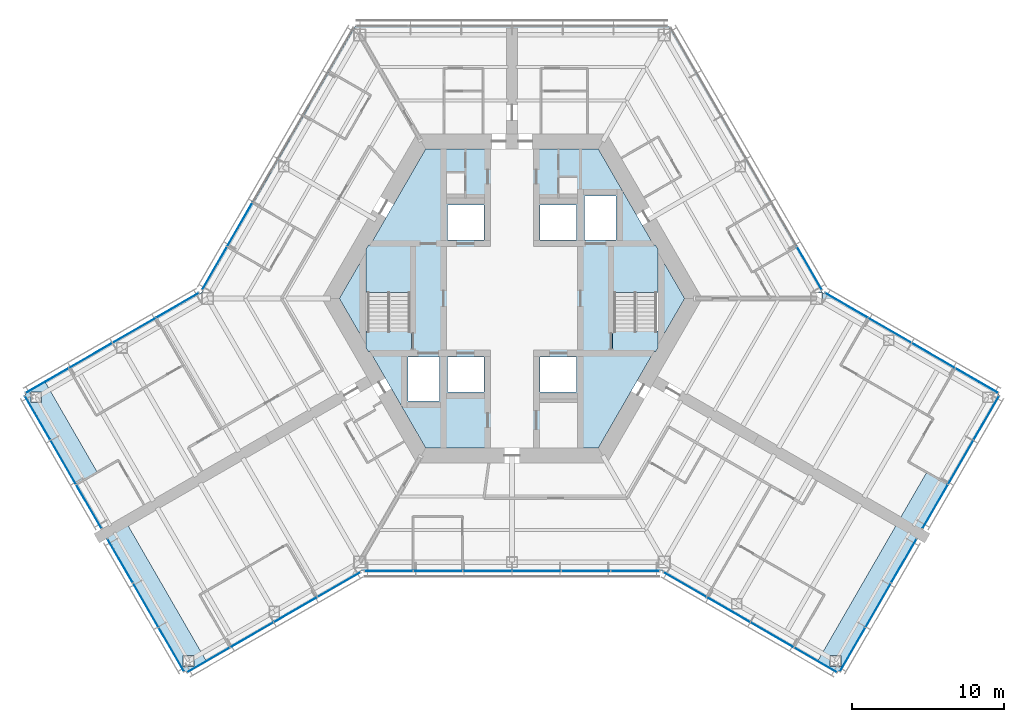
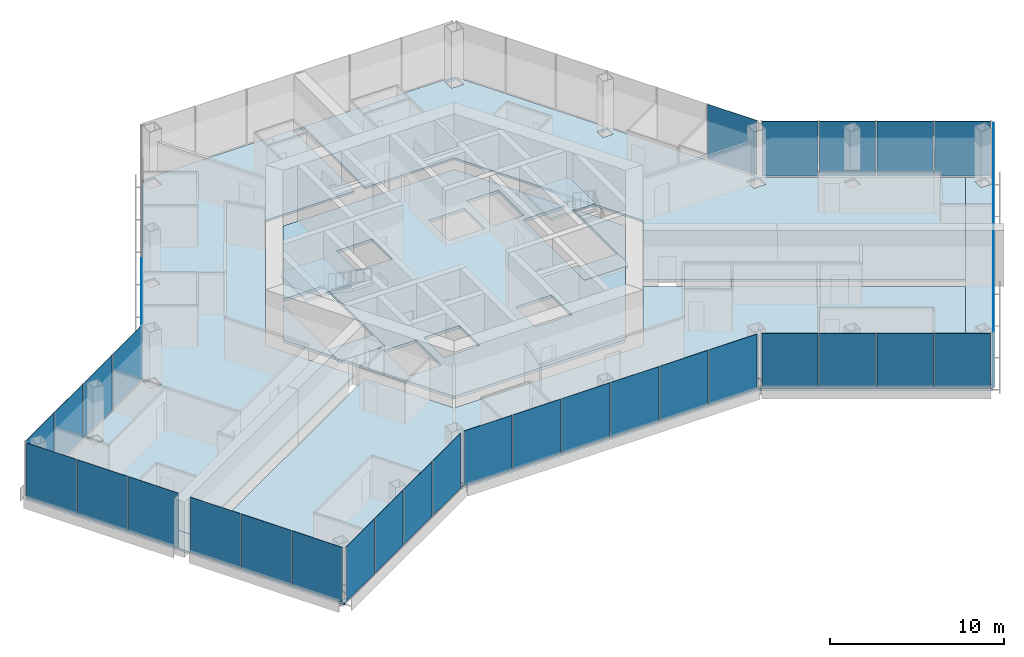
# One storey, part 10 of 18: 37 plates, 11 slabs, 13 elements without a shape of their own.
"""IFC4 building model written with IfcOpenShell, lengths in metres."""

from ifc_helpers import new_model, si_unit, direction, frame, origin, origin_2d, place, context, subcontext, project, spatial, polyline, rectangle, outline, extrude, material, layer, layer_set, type_object, element, aggregate, save


model = new_model("IFC4")

# Units and contexts
model_context = context("Model", 3, precision=1e-05, world=origin(), true_north=direction((0.0, 1.0)))
body_context = subcontext(model_context, "Body", "Model", "MODEL_VIEW")
ifc_project = project(units=[si_unit("LENGTHUNIT", "METRE"), si_unit("AREAUNIT", "SQUARE_METRE"), si_unit("VOLUMEUNIT", "CUBIC_METRE"), si_unit("PLANEANGLEUNIT", "RADIAN"), si_unit("MASSUNIT", "GRAM", prefix="KILO")], contexts=[model_context])

# Site, building, storey
site_placement = place(None, origin())
site = spatial("IfcSite", under=ifc_project, at=site_placement, CompositionType="ELEMENT")
building_placement = place(site_placement, origin())
building = spatial("IfcBuilding", under=site, at=building_placement, Name="Kasaneha Research Tower", CompositionType="ELEMENT")
storey_placement = place(building_placement, frame((0.0, 0.0, 140.89990234375)))
storey = spatial("IfcBuildingStorey", under=building, at=storey_placement, Name="L35", CompositionType="ELEMENT", Elevation=140.89990234375)

# Curtain wall, plates
ifc_material_1 = material(Name="Glass and aluminium", Category="aluminium")
curtain_wall_type = type_object("IfcCurtainWallType", Name="Mid-rise office curtain wall", PredefinedType="USERDEFINED", material=ifc_material_1)
curtain_wall_1_placement = place(storey_placement, origin())
curtain_wall_1 = element("IfcCurtainWall", 1, at=curtain_wall_1_placement, inside=storey, type_object=curtain_wall_type, Name="CW-O2 L35 run 01a", ObjectType="UNITISED CURTAIN WALL", PredefinedType="USERDEFINED")
ifc_material_2 = material(Name="Laminated double glazing", Category="glass")
ifc_layer_1 = layer(ifc_material_2, 0.02587890625)
ifc_layer_set_1 = layer_set([ifc_layer_1], Name="CW-O2 glazed panel")
plate_type = type_object("IfcPlateType", Name="CW-O2 glazed panel", PredefinedType="CURTAIN_PANEL", material=ifc_layer_set_1)
plate_1_placement = place(storey_placement, frame((-8.10107421875, -17.92041015625, 0.06005859375), z_axis=(0.0, 0.0, 1.0), x_axis=(1.0, 0.0, 0.0)))
plate_1 = element("IfcPlate", 2, at=plate_1_placement, type_object=plate_type, Name="CW-O2 panel 1", PredefinedType="CURTAIN_PANEL", context=body_context, shape_type="SweptSolid", body=[
    extrude(rectangle(XDim=3.156494140625, YDim=0.02587890625, at=origin_2d()), origin(), (0.0, 0.0, 1.0), 3.840087890625),
])
plate_2_placement = place(storey_placement, frame((-4.86962890625, -17.92041015625, 0.06005859375), z_axis=(0.0, 0.0, 1.0), x_axis=(1.0, 0.0, 0.0)))
plate_2 = element("IfcPlate", 3, at=plate_2_placement, type_object=plate_type, Name="CW-O2 panel 2", PredefinedType="CURTAIN_PANEL", context=body_context, shape_type="SweptSolid", body=[
    extrude(rectangle(XDim=3.1865234375, YDim=0.02587890625, at=origin_2d()), origin(), (0.0, 0.0, 1.0), 3.840087890625),
])
plate_3_placement = place(storey_placement, frame((-1.623291015625, -17.92041015625, 0.06005859375), z_axis=(0.0, 0.0, 1.0), x_axis=(1.0, 0.0, 0.0)))
plate_3 = element("IfcPlate", 4, at=plate_3_placement, type_object=plate_type, Name="CW-O2 panel 3", PredefinedType="CURTAIN_PANEL", context=body_context, shape_type="SweptSolid", body=[
    extrude(rectangle(XDim=3.1865234375, YDim=0.02587890625, at=origin_2d()), origin(), (0.0, 0.0, 1.0), 3.840087890625),
])
plate_4_placement = place(storey_placement, frame((1.623291015625, -17.92041015625, 0.06005859375), z_axis=(0.0, 0.0, 1.0), x_axis=(1.0, 0.0, 0.0)))
plate_4 = element("IfcPlate", 5, at=plate_4_placement, type_object=plate_type, Name="CW-O2 panel 4", PredefinedType="CURTAIN_PANEL", context=body_context, shape_type="SweptSolid", body=[
    extrude(rectangle(XDim=3.1865234375, YDim=0.02587890625, at=origin_2d()), origin(), (0.0, 0.0, 1.0), 3.840087890625),
])
plate_5_placement = place(storey_placement, frame((4.86962890625, -17.92041015625, 0.06005859375), z_axis=(0.0, 0.0, 1.0), x_axis=(1.0, 0.0, 0.0)))
plate_5 = element("IfcPlate", 6, at=plate_5_placement, type_object=plate_type, Name="CW-O2 panel 5", PredefinedType="CURTAIN_PANEL", context=body_context, shape_type="SweptSolid", body=[
    extrude(rectangle(XDim=3.1865234375, YDim=0.02587890625, at=origin_2d()), origin(), (0.0, 0.0, 1.0), 3.840087890625),
])
plate_6_placement = place(storey_placement, frame((8.10107421875, -17.92041015625, 0.06005859375), z_axis=(0.0, 0.0, 1.0), x_axis=(1.0, 0.0, 0.0)))
plate_6 = element("IfcPlate", 7, at=plate_6_placement, type_object=plate_type, Name="CW-O2 panel 6", PredefinedType="CURTAIN_PANEL", context=body_context, shape_type="SweptSolid", body=[
    extrude(rectangle(XDim=3.156494140625, YDim=0.02587890625, at=origin_2d()), origin(), (0.0, 0.0, 1.0), 3.840087890625),
])
aggregate(curtain_wall_1, [plate_1, plate_2, plate_3, plate_4, plate_5, plate_6])

curtain_wall_2_placement = place(storey_placement, origin())
curtain_wall_2 = element("IfcCurtainWall", 8, at=curtain_wall_2_placement, inside=storey, type_object=curtain_wall_type, Name="CW-O2 L35 run 02a", ObjectType="UNITISED CURTAIN WALL", PredefinedType="USERDEFINED")
plate_7_placement = place(storey_placement, frame((11.3720703125, -18.805419921875, 0.06005859375), z_axis=(0.0, 0.0, 1.0), x_axis=(0.866025411464, -0.499999986699, 0.0)))
plate_7 = element("IfcPlate", 9, at=plate_7_placement, type_object=plate_type, Name="CW-O2 panel 1", PredefinedType="CURTAIN_PANEL", context=body_context, shape_type="SweptSolid", body=[
    extrude(rectangle(XDim=3.2197265625, YDim=0.02587890625, at=origin_2d()), origin(), (0.0, 0.0, 1.0), 3.840087890625),
])
plate_8_placement = place(storey_placement, frame((14.225341796875, -20.452880859375, 0.06005859375), z_axis=(0.0, 0.0, 1.0), x_axis=(0.866025411464, -0.499999986699, 0.0)))
plate_8 = element("IfcPlate", 10, at=plate_8_placement, type_object=plate_type, Name="CW-O2 panel 2", PredefinedType="CURTAIN_PANEL", context=body_context, shape_type="SweptSolid", body=[
    extrude(rectangle(XDim=3.249755859375, YDim=0.02587890625, at=origin_2d()), origin(), (0.0, 0.0, 1.0), 3.840087890625),
])
plate_9_placement = place(storey_placement, frame((17.091796875, -22.107666015625, 0.06005859375), z_axis=(0.0, 0.0, 1.0), x_axis=(0.866025411464, -0.499999986699, 0.0)))
plate_9 = element("IfcPlate", 11, at=plate_9_placement, type_object=plate_type, Name="CW-O2 panel 3", PredefinedType="CURTAIN_PANEL", context=body_context, shape_type="SweptSolid", body=[
    extrude(rectangle(XDim=3.249755859375, YDim=0.02587890625, at=origin_2d()), origin(), (0.0, 0.0, 1.0), 3.840087890625),
])
plate_10_placement = place(storey_placement, frame((19.945068359375, -23.755126953125, 0.06005859375), z_axis=(0.0, 0.0, 1.0), x_axis=(0.866025411464, -0.499999986699, 0.0)))
plate_10 = element("IfcPlate", 12, at=plate_10_placement, type_object=plate_type, Name="CW-O2 panel 4", PredefinedType="CURTAIN_PANEL", context=body_context, shape_type="SweptSolid", body=[
    extrude(rectangle(XDim=3.2197265625, YDim=0.02587890625, at=origin_2d()), origin(), (0.0, 0.0, 1.0), 3.840087890625),
])
aggregate(curtain_wall_2, [plate_7, plate_8, plate_9, plate_10])

curtain_wall_3_placement = place(storey_placement, origin())
curtain_wall_3 = element("IfcCurtainWall", 13, at=curtain_wall_3_placement, inside=storey, type_object=curtain_wall_type, Name="CW-O2 L35 run 03a", ObjectType="UNITISED CURTAIN WALL", PredefinedType="USERDEFINED")
plate_11_placement = place(storey_placement, frame((22.38134765625, -23.075439453125, 0.06005859375), z_axis=(0.0, 0.0, 1.0), x_axis=(0.500000011442, 0.866025397178, 0.0)))
plate_11 = element("IfcPlate", 14, at=plate_11_placement, type_object=plate_type, Name="CW-O2 panel 1", PredefinedType="CURTAIN_PANEL", context=body_context, shape_type="SweptSolid", body=[
    extrude(rectangle(XDim=3.293212890625, YDim=0.02587890625, at=origin_2d()), origin(), (0.0, 0.0, 1.0), 3.840087890625),
])
plate_12_placement = place(storey_placement, frame((24.0654296875, -20.158447265625, 0.06005859375), z_axis=(0.0, 0.0, 1.0), x_axis=(0.500000011442, 0.866025397178, 0.0)))
plate_12 = element("IfcPlate", 15, at=plate_12_placement, type_object=plate_type, Name="CW-O2 panel 2", PredefinedType="CURTAIN_PANEL", context=body_context, shape_type="SweptSolid", body=[
    extrude(rectangle(XDim=3.3232421875, YDim=0.02587890625, at=origin_2d()), origin(), (0.0, 0.0, 1.0), 3.840087890625),
])
plate_13_placement = place(storey_placement, frame((25.74951171875, -17.241455078125, 0.06005859375), z_axis=(0.0, 0.0, 1.0), x_axis=(0.500000011442, 0.866025397178, 0.0)))
plate_13 = element("IfcPlate", 16, at=plate_13_placement, type_object=plate_type, Name="CW-O2 panel 3", PredefinedType="CURTAIN_PANEL", context=body_context, shape_type="SweptSolid", body=[
    extrude(rectangle(XDim=3.293212890625, YDim=0.02587890625, at=origin_2d()), origin(), (0.0, 0.0, 1.0), 3.840087890625),
])
aggregate(curtain_wall_3, [plate_11, plate_12, plate_13])

curtain_wall_4_placement = place(storey_placement, origin())
curtain_wall_4 = element("IfcCurtainWall", 17, at=curtain_wall_4_placement, inside=storey, type_object=curtain_wall_type, Name="CW-O2 L35 run 04a", ObjectType="UNITISED CURTAIN WALL", PredefinedType="USERDEFINED")
plate_14_placement = place(storey_placement, frame((27.806396484375, -13.67919921875, 0.06005859375), z_axis=(0.0, 0.0, 1.0), x_axis=(0.500000011442, 0.866025397178, 0.0)))
plate_14 = element("IfcPlate", 18, at=plate_14_placement, type_object=plate_type, Name="CW-O2 panel 1", PredefinedType="CURTAIN_PANEL", context=body_context, shape_type="SweptSolid", body=[
    extrude(rectangle(XDim=3.293212890625, YDim=0.02587890625, at=origin_2d()), origin(), (0.0, 0.0, 1.0), 3.840087890625),
])
plate_15_placement = place(storey_placement, frame((29.490478515625, -10.761962890625, 0.06005859375), z_axis=(0.0, 0.0, 1.0), x_axis=(0.500000011442, 0.866025397178, 0.0)))
plate_15 = element("IfcPlate", 19, at=plate_15_placement, type_object=plate_type, Name="CW-O2 panel 2", PredefinedType="CURTAIN_PANEL", context=body_context, shape_type="SweptSolid", body=[
    extrude(rectangle(XDim=3.3232421875, YDim=0.02587890625, at=origin_2d()), origin(), (0.0, 0.0, 1.0), 3.840087890625),
])
plate_16_placement = place(storey_placement, frame((31.174560546875, -7.844970703125, 0.06005859375), z_axis=(0.0, 0.0, 1.0), x_axis=(0.500000011442, 0.866025397178, 0.0)))
plate_16 = element("IfcPlate", 20, at=plate_16_placement, type_object=plate_type, Name="CW-O2 panel 3", PredefinedType="CURTAIN_PANEL", context=body_context, shape_type="SweptSolid", body=[
    extrude(rectangle(XDim=3.293212890625, YDim=0.02587890625, at=origin_2d()), origin(), (0.0, 0.0, 1.0), 3.840087890625),
])
aggregate(curtain_wall_4, [plate_14, plate_15, plate_16])

curtain_wall_5_placement = place(storey_placement, origin())
curtain_wall_5 = element("IfcCurtainWall", 21, at=curtain_wall_5_placement, inside=storey, type_object=curtain_wall_type, Name="CW-O2 L35 run 05a", ObjectType="UNITISED CURTAIN WALL", PredefinedType="USERDEFINED")
plate_17_placement = place(storey_placement, frame((30.545166015625, -5.3955078125, 0.06005859375), z_axis=(0.0, 0.0, 1.0), x_axis=(-0.866025411464, 0.499999986699, 0.0)))
plate_17 = element("IfcPlate", 22, at=plate_17_placement, type_object=plate_type, Name="CW-O2 panel 1", PredefinedType="CURTAIN_PANEL", context=body_context, shape_type="SweptSolid", body=[
    extrude(rectangle(XDim=3.2197265625, YDim=0.02587890625, at=origin_2d()), origin(), (0.0, 0.0, 1.0), 3.840087890625),
])
plate_18_placement = place(storey_placement, frame((27.69189453125, -3.748046875, 0.06005859375), z_axis=(0.0, 0.0, 1.0), x_axis=(-0.866025411464, 0.499999986699, 0.0)))
plate_18 = element("IfcPlate", 23, at=plate_18_placement, type_object=plate_type, Name="CW-O2 panel 2", PredefinedType="CURTAIN_PANEL", context=body_context, shape_type="SweptSolid", body=[
    extrude(rectangle(XDim=3.249755859375, YDim=0.02587890625, at=origin_2d()), origin(), (0.0, 0.0, 1.0), 3.840087890625),
])
plate_19_placement = place(storey_placement, frame((24.825439453125, -2.093017578125, 0.06005859375), z_axis=(0.0, 0.0, 1.0), x_axis=(-0.866025411464, 0.499999986699, 0.0)))
plate_19 = element("IfcPlate", 24, at=plate_19_placement, type_object=plate_type, Name="CW-O2 panel 3", PredefinedType="CURTAIN_PANEL", context=body_context, shape_type="SweptSolid", body=[
    extrude(rectangle(XDim=3.249755859375, YDim=0.02587890625, at=origin_2d()), origin(), (0.0, 0.0, 1.0), 3.840087890625),
])
plate_20_placement = place(storey_placement, frame((21.971923828125, -0.44580078125, 0.06005859375), z_axis=(0.0, 0.0, 1.0), x_axis=(-0.866025411464, 0.499999986699, 0.0)))
plate_20 = element("IfcPlate", 25, at=plate_20_placement, type_object=plate_type, Name="CW-O2 panel 4", PredefinedType="CURTAIN_PANEL", context=body_context, shape_type="SweptSolid", body=[
    extrude(rectangle(XDim=3.2197265625, YDim=0.02587890625, at=origin_2d()), origin(), (0.0, 0.0, 1.0), 3.840087890625),
])
aggregate(curtain_wall_5, [plate_17, plate_18, plate_19, plate_20])

# Curtain wall, plate
curtain_wall_6_placement = place(storey_placement, origin())
curtain_wall_6 = element("IfcCurtainWall", 26, at=curtain_wall_6_placement, inside=storey, type_object=curtain_wall_type, Name="CW-O2 L35 run 06a", ObjectType="UNITISED CURTAIN WALL", PredefinedType="USERDEFINED")
plate_21_placement = place(storey_placement, frame((19.549072265625, 1.981201171875, 0.06005859375), z_axis=(0.0, 0.0, 1.0), x_axis=(-0.499999979232, 0.866025415775, 0.0)))
plate_21 = element("IfcPlate", 27, at=plate_21_placement, type_object=plate_type, Name="CW-O2 panel 1", PredefinedType="CURTAIN_PANEL", context=body_context, shape_type="SweptSolid", body=[
    extrude(rectangle(XDim=3.240966796875, YDim=0.02587890625, at=origin_2d()), origin(), (0.0, 0.0, 1.0), 3.840087890625),
])
aggregate(curtain_wall_6, [plate_21])

# Curtain wall, plates
curtain_wall_7_placement = place(storey_placement, origin())
curtain_wall_7 = element("IfcCurtainWall", 28, at=curtain_wall_7_placement, inside=storey, type_object=curtain_wall_type, Name="CW-O2 L35 run 08a", ObjectType="UNITISED CURTAIN WALL", PredefinedType="USERDEFINED")
plate_22_placement = place(storey_placement, frame((-17.89111328125, 4.852783203125, 0.06005859375), z_axis=(0.0, 0.0, 1.0), x_axis=(-0.499999979232, -0.866025415775, 0.0)))
plate_22 = element("IfcPlate", 29, at=plate_22_placement, type_object=plate_type, Name="CW-O2 panel 5", PredefinedType="CURTAIN_PANEL", context=body_context, shape_type="SweptSolid", body=[
    extrude(rectangle(XDim=3.27099609375, YDim=0.02587890625, at=origin_2d()), origin(), (0.0, 0.0, 1.0), 3.840087890625),
])
plate_23_placement = place(storey_placement, frame((-19.549072265625, 1.981201171875, 0.06005859375), z_axis=(0.0, 0.0, 1.0), x_axis=(-0.499999979232, -0.866025415775, 0.0)))
plate_23 = element("IfcPlate", 30, at=plate_23_placement, type_object=plate_type, Name="CW-O2 panel 6", PredefinedType="CURTAIN_PANEL", context=body_context, shape_type="SweptSolid", body=[
    extrude(rectangle(XDim=3.240966796875, YDim=0.02587890625, at=origin_2d()), origin(), (0.0, 0.0, 1.0), 3.840087890625),
])
aggregate(curtain_wall_7, [plate_22, plate_23])

curtain_wall_8_placement = place(storey_placement, origin())
curtain_wall_8 = element("IfcCurtainWall", 31, at=curtain_wall_8_placement, inside=storey, type_object=curtain_wall_type, Name="CW-O2 L35 run 09a", ObjectType="UNITISED CURTAIN WALL", PredefinedType="USERDEFINED")
plate_24_placement = place(storey_placement, frame((-21.971923828125, -0.44580078125, 0.06005859375), z_axis=(0.0, 0.0, 1.0), x_axis=(-0.866025411464, -0.499999986699, 0.0)))
plate_24 = element("IfcPlate", 32, at=plate_24_placement, type_object=plate_type, Name="CW-O2 panel 1", PredefinedType="CURTAIN_PANEL", context=body_context, shape_type="SweptSolid", body=[
    extrude(rectangle(XDim=3.2197265625, YDim=0.02587890625, at=origin_2d()), origin(), (0.0, 0.0, 1.0), 3.840087890625),
])
plate_25_placement = place(storey_placement, frame((-24.825439453125, -2.093017578125, 0.06005859375), z_axis=(0.0, 0.0, 1.0), x_axis=(-0.866025411464, -0.499999986699, 0.0)))
plate_25 = element("IfcPlate", 33, at=plate_25_placement, type_object=plate_type, Name="CW-O2 panel 2", PredefinedType="CURTAIN_PANEL", context=body_context, shape_type="SweptSolid", body=[
    extrude(rectangle(XDim=3.249755859375, YDim=0.02587890625, at=origin_2d()), origin(), (0.0, 0.0, 1.0), 3.840087890625),
])
plate_26_placement = place(storey_placement, frame((-27.69189453125, -3.748046875, 0.06005859375), z_axis=(0.0, 0.0, 1.0), x_axis=(-0.866025411464, -0.499999986699, 0.0)))
plate_26 = element("IfcPlate", 34, at=plate_26_placement, type_object=plate_type, Name="CW-O2 panel 3", PredefinedType="CURTAIN_PANEL", context=body_context, shape_type="SweptSolid", body=[
    extrude(rectangle(XDim=3.249755859375, YDim=0.02587890625, at=origin_2d()), origin(), (0.0, 0.0, 1.0), 3.840087890625),
])
plate_27_placement = place(storey_placement, frame((-30.545166015625, -5.3955078125, 0.06005859375), z_axis=(0.0, 0.0, 1.0), x_axis=(-0.866025411464, -0.499999986699, 0.0)))
plate_27 = element("IfcPlate", 35, at=plate_27_placement, type_object=plate_type, Name="CW-O2 panel 4", PredefinedType="CURTAIN_PANEL", context=body_context, shape_type="SweptSolid", body=[
    extrude(rectangle(XDim=3.2197265625, YDim=0.02587890625, at=origin_2d()), origin(), (0.0, 0.0, 1.0), 3.840087890625),
])
aggregate(curtain_wall_8, [plate_24, plate_25, plate_26, plate_27])

curtain_wall_9_placement = place(storey_placement, origin())
curtain_wall_9 = element("IfcCurtainWall", 36, at=curtain_wall_9_placement, inside=storey, type_object=curtain_wall_type, Name="CW-O2 L35 run 10a", ObjectType="UNITISED CURTAIN WALL", PredefinedType="USERDEFINED")
plate_28_placement = place(storey_placement, frame((-31.174560546875, -7.844970703125, 0.06005859375), z_axis=(0.0, 0.0, 1.0), x_axis=(0.500000011442, -0.866025397178, 0.0)))
plate_28 = element("IfcPlate", 37, at=plate_28_placement, type_object=plate_type, Name="CW-O2 panel 1", PredefinedType="CURTAIN_PANEL", context=body_context, shape_type="SweptSolid", body=[
    extrude(rectangle(XDim=3.293212890625, YDim=0.02587890625, at=origin_2d()), origin(), (0.0, 0.0, 1.0), 3.840087890625),
])
plate_29_placement = place(storey_placement, frame((-29.490478515625, -10.761962890625, 0.06005859375), z_axis=(0.0, 0.0, 1.0), x_axis=(0.500000011442, -0.866025397178, 0.0)))
plate_29 = element("IfcPlate", 38, at=plate_29_placement, type_object=plate_type, Name="CW-O2 panel 2", PredefinedType="CURTAIN_PANEL", context=body_context, shape_type="SweptSolid", body=[
    extrude(rectangle(XDim=3.3232421875, YDim=0.02587890625, at=origin_2d()), origin(), (0.0, 0.0, 1.0), 3.840087890625),
])
plate_30_placement = place(storey_placement, frame((-27.806396484375, -13.67919921875, 0.06005859375), z_axis=(0.0, 0.0, 1.0), x_axis=(0.500000011442, -0.866025397178, 0.0)))
plate_30 = element("IfcPlate", 39, at=plate_30_placement, type_object=plate_type, Name="CW-O2 panel 3", PredefinedType="CURTAIN_PANEL", context=body_context, shape_type="SweptSolid", body=[
    extrude(rectangle(XDim=3.293212890625, YDim=0.02587890625, at=origin_2d()), origin(), (0.0, 0.0, 1.0), 3.840087890625),
])
aggregate(curtain_wall_9, [plate_28, plate_29, plate_30])

curtain_wall_10_placement = place(storey_placement, origin())
curtain_wall_10 = element("IfcCurtainWall", 40, at=curtain_wall_10_placement, inside=storey, type_object=curtain_wall_type, Name="CW-O2 L35 run 11a", ObjectType="UNITISED CURTAIN WALL", PredefinedType="USERDEFINED")
plate_31_placement = place(storey_placement, frame((-25.74951171875, -17.241455078125, 0.06005859375), z_axis=(0.0, 0.0, 1.0), x_axis=(0.500000011442, -0.866025397178, 0.0)))
plate_31 = element("IfcPlate", 41, at=plate_31_placement, type_object=plate_type, Name="CW-O2 panel 1", PredefinedType="CURTAIN_PANEL", context=body_context, shape_type="SweptSolid", body=[
    extrude(rectangle(XDim=3.293212890625, YDim=0.02587890625, at=origin_2d()), origin(), (0.0, 0.0, 1.0), 3.840087890625),
])
plate_32_placement = place(storey_placement, frame((-24.0654296875, -20.158447265625, 0.06005859375), z_axis=(0.0, 0.0, 1.0), x_axis=(0.500000011442, -0.866025397178, 0.0)))
plate_32 = element("IfcPlate", 42, at=plate_32_placement, type_object=plate_type, Name="CW-O2 panel 2", PredefinedType="CURTAIN_PANEL", context=body_context, shape_type="SweptSolid", body=[
    extrude(rectangle(XDim=3.3232421875, YDim=0.02587890625, at=origin_2d()), origin(), (0.0, 0.0, 1.0), 3.840087890625),
])
plate_33_placement = place(storey_placement, frame((-22.38134765625, -23.075439453125, 0.06005859375), z_axis=(0.0, 0.0, 1.0), x_axis=(0.500000011442, -0.866025397178, 0.0)))
plate_33 = element("IfcPlate", 43, at=plate_33_placement, type_object=plate_type, Name="CW-O2 panel 3", PredefinedType="CURTAIN_PANEL", context=body_context, shape_type="SweptSolid", body=[
    extrude(rectangle(XDim=3.293212890625, YDim=0.02587890625, at=origin_2d()), origin(), (0.0, 0.0, 1.0), 3.840087890625),
])
aggregate(curtain_wall_10, [plate_31, plate_32, plate_33])

curtain_wall_11_placement = place(storey_placement, origin())
curtain_wall_11 = element("IfcCurtainWall", 44, at=curtain_wall_11_placement, inside=storey, type_object=curtain_wall_type, Name="CW-O2 L35 run 12a", ObjectType="UNITISED CURTAIN WALL", PredefinedType="USERDEFINED")
plate_34_placement = place(storey_placement, frame((-19.945068359375, -23.755126953125, 0.06005859375), z_axis=(0.0, 0.0, 1.0), x_axis=(0.866025411464, 0.499999986699, 0.0)))
plate_34 = element("IfcPlate", 45, at=plate_34_placement, type_object=plate_type, Name="CW-O2 panel 1", PredefinedType="CURTAIN_PANEL", context=body_context, shape_type="SweptSolid", body=[
    extrude(rectangle(XDim=3.2197265625, YDim=0.02587890625, at=origin_2d()), origin(), (0.0, 0.0, 1.0), 3.840087890625),
])
plate_35_placement = place(storey_placement, frame((-17.091796875, -22.107666015625, 0.06005859375), z_axis=(0.0, 0.0, 1.0), x_axis=(0.866025411464, 0.499999986699, 0.0)))
plate_35 = element("IfcPlate", 46, at=plate_35_placement, type_object=plate_type, Name="CW-O2 panel 2", PredefinedType="CURTAIN_PANEL", context=body_context, shape_type="SweptSolid", body=[
    extrude(rectangle(XDim=3.249755859375, YDim=0.02587890625, at=origin_2d()), origin(), (0.0, 0.0, 1.0), 3.840087890625),
])
plate_36_placement = place(storey_placement, frame((-14.225341796875, -20.452880859375, 0.06005859375), z_axis=(0.0, 0.0, 1.0), x_axis=(0.866025411464, 0.499999986699, 0.0)))
plate_36 = element("IfcPlate", 47, at=plate_36_placement, type_object=plate_type, Name="CW-O2 panel 3", PredefinedType="CURTAIN_PANEL", context=body_context, shape_type="SweptSolid", body=[
    extrude(rectangle(XDim=3.249755859375, YDim=0.02587890625, at=origin_2d()), origin(), (0.0, 0.0, 1.0), 3.840087890625),
])
plate_37_placement = place(storey_placement, frame((-11.3720703125, -18.805419921875, 0.06005859375), z_axis=(0.0, 0.0, 1.0), x_axis=(0.866025411464, 0.499999986699, 0.0)))
plate_37 = element("IfcPlate", 48, at=plate_37_placement, type_object=plate_type, Name="CW-O2 panel 4", PredefinedType="CURTAIN_PANEL", context=body_context, shape_type="SweptSolid", body=[
    extrude(rectangle(XDim=3.2197265625, YDim=0.02587890625, at=origin_2d()), origin(), (0.0, 0.0, 1.0), 3.840087890625),
])
aggregate(curtain_wall_11, [plate_34, plate_35, plate_36, plate_37])

# Slabs
ifc_material_3 = material(Name="Concrete Fc24", Category="concrete")
ifc_layer_2 = layer(ifc_material_3, 0.199951171875)
ifc_layer_set_2 = layer_set([ifc_layer_2], Name="Core floor slab 200")
slab_type_1 = type_object("IfcSlabType", Name="Core floor slab 200", PredefinedType="FLOOR", material=ifc_layer_set_2)
slab_1_placement = place(storey_placement, frame((0.0, 0.0, -0.199951171875)))
element("IfcSlab", 49, at=slab_1_placement, inside=storey, type_object=slab_type_1, Name="Core slab L35", PredefinedType="FLOOR", context=body_context, shape_type="SweptSolid", body=[
    extrude(outline(polyline([(-11.344970703125, 0.0), (-9.60009765625, 3.022216796875), (-9.60009765625, -3.022216796875), (-11.344970703125, 0.0)])), origin(), (0.0, 0.0, 1.0), 0.199951171875),
])
slab_2_placement = place(storey_placement, frame((0.0, 0.0, -0.199951171875)))
element("IfcSlab", 50, at=slab_2_placement, inside=storey, type_object=slab_type_1, Name="Core slab L35", PredefinedType="FLOOR", context=body_context, shape_type="SweptSolid", body=[
    extrude(outline(polyline([(-5.67236328125, 9.824951171875), (5.67236328125, 9.824951171875), (9.32421875, 3.5), (6.60009765625, 3.5), (6.60009765625, -3.5), (9.32421875, -3.5), (5.67236328125, -9.824951171875), (-5.67236328125, -9.824951171875), (-9.32421875, -3.5), (-6.60009765625, -3.5), (-6.60009765625, 3.5), (-9.32421875, 3.5), (-5.67236328125, 9.824951171875)]), holes=[polyline([(-6.85009765625, -3.85009765625), (-6.85009765625, -6.75), (-4.75, -6.75), (-4.75, -3.85009765625), (-6.85009765625, -3.85009765625)]), polyline([(-4.25, -3.85009765625), (-4.25, -6.14990234375), (-1.85009765625, -6.14990234375), (-1.85009765625, -3.85009765625), (-4.25, -3.85009765625)]), polyline([(1.85009765625, -3.85009765625), (1.85009765625, -6.14990234375), (4.25, -6.14990234375), (4.25, -3.85009765625), (1.85009765625, -3.85009765625)]), polyline([(-4.25, 6.14990234375), (-4.25, 3.85009765625), (-1.85009765625, 3.85009765625), (-1.85009765625, 6.14990234375), (-4.25, 6.14990234375)]), polyline([(4.25, 6.14990234375), (1.85009765625, 6.14990234375), (1.85009765625, 3.85009765625), (4.25, 3.85009765625), (4.25, 6.14990234375)]), polyline([(6.85009765625, 6.75), (4.75, 6.75), (4.75, 3.85009765625), (6.85009765625, 3.85009765625), (6.85009765625, 6.75)])]), origin(), (0.0, 0.0, 1.0), 0.199951171875),
])
slab_3_placement = place(storey_placement, frame((0.0, 0.0, -0.199951171875)))
element("IfcSlab", 51, at=slab_3_placement, inside=storey, type_object=slab_type_1, Name="Core slab L35", PredefinedType="FLOOR", context=body_context, shape_type="SweptSolid", body=[
    extrude(outline(polyline([(11.344970703125, 0.0), (9.60009765625, -3.022216796875), (9.60009765625, 3.022216796875), (11.344970703125, 0.0)])), origin(), (0.0, 0.0, 1.0), 0.199951171875),
])
ifc_material_4 = material(Name="Concrete Fc24", Category="concrete")
ifc_layer_3 = layer(ifc_material_4, 0.14990234375)
ifc_layer_set_3 = layer_set([ifc_layer_3], Name="Floor slab 150")
slab_type_2 = type_object("IfcSlabType", Name="Floor slab 150", PredefinedType="FLOOR", material=ifc_layer_set_3)
slab_4_placement = place(storey_placement, frame((0.0, 0.0, -0.14990234375)))
element("IfcSlab", 52, at=slab_4_placement, inside=storey, type_object=slab_type_2, Name="Floor slab L35 1", PredefinedType="FLOOR", context=body_context, shape_type="SweptSolid", body=[
    extrude(outline(polyline([(-32.009521484375, -6.298583984375), (-30.65869140625, -5.518798828125), (-25.55859375, -14.35205078125), (-25.5673828125, -14.357177734375), (-25.21728515625, -14.96337890625), (-25.208740234375, -14.958251953125), (-20.108642578125, -23.791748046875), (-21.459716796875, -24.57177734375), (-32.009521484375, -6.298583984375)]), holes=[polyline([(-20.908447265625, -24.17041015625), (-20.908447265625, -23.470458984375), (-21.6083984375, -23.470458984375), (-21.6083984375, -24.17041015625), (-20.908447265625, -24.17041015625)]), polyline([(-30.908447265625, -6.85009765625), (-30.908447265625, -6.14990234375), (-31.6083984375, -6.14990234375), (-31.6083984375, -6.85009765625), (-30.908447265625, -6.85009765625)])]), origin(), (0.0, 0.0, 1.0), 0.14990234375),
])
slab_5_placement = place(storey_placement, frame((0.0, 0.0, -0.14990234375)))
element("IfcSlab", 53, at=slab_5_placement, inside=storey, type_object=slab_type_2, Name="Floor slab L35 2", PredefinedType="FLOOR", context=body_context, shape_type="SweptSolid", body=[
    extrude(outline(polyline([(9.8525390625, -17.87060546875), (-9.8525390625, -17.87060546875), (-20.108642578125, -23.791748046875), (-25.208740234375, -14.958251953125), (-9.19970703125, -5.715576171875), (-6.249755859375, -10.824951171875), (6.249755859375, -10.824951171875), (9.19970703125, -5.715576171875), (25.208740234375, -14.958251953125), (20.108642578125, -23.791748046875), (9.8525390625, -17.87060546875)]), holes=[polyline([(-15.279052734375, -20.92041015625), (-15.279052734375, -20.220458984375), (-15.979248046875, -20.220458984375), (-15.979248046875, -20.92041015625), (-15.279052734375, -20.92041015625)]), polyline([(0.35009765625, -17.67041015625), (0.35009765625, -16.970458984375), (-0.35009765625, -16.970458984375), (-0.35009765625, -17.67041015625), (0.35009765625, -17.67041015625)]), polyline([(-10.39990234375, -17.720458984375), (-9.60009765625, -17.720458984375), (-9.60009765625, -16.92041015625), (-10.39990234375, -16.92041015625), (-10.39990234375, -17.720458984375)]), polyline([(15.113037109375, -20.42041015625), (15.113037109375, -19.720458984375), (14.4130859375, -19.720458984375), (14.4130859375, -20.42041015625), (15.113037109375, -20.42041015625)]), polyline([(9.60009765625, -17.720458984375), (10.39990234375, -17.720458984375), (10.39990234375, -16.92041015625), (9.60009765625, -16.92041015625), (9.60009765625, -17.720458984375)])]), origin(), (0.0, 0.0, 1.0), 0.14990234375),
])
slab_6_placement = place(storey_placement, frame((0.0, 0.0, -0.14990234375)))
element("IfcSlab", 54, at=slab_6_placement, inside=storey, type_object=slab_type_2, Name="Floor slab L35 3", PredefinedType="FLOOR", context=body_context, shape_type="SweptSolid", body=[
    extrude(outline(polyline([(-20.400146484375, -0.400146484375), (-19.599853515625, -0.400146484375), (-19.599853515625, 0.400146484375), (-20.385986328125, 0.400146484375), (-20.3974609375, 0.41162109375), (-10.40771484375, 17.714111328125), (-10.400146484375, 17.70654296875), (-10.400146484375, 16.92041015625), (-9.599853515625, 16.92041015625), (-9.599853515625, 17.720703125), (-10.385986328125, 17.720703125), (-10.3974609375, 17.732177734375), (-10.317626953125, 17.87060546875), (10.317626953125, 17.87060546875), (10.3974609375, 17.732177734375), (10.385986328125, 17.720703125), (9.599853515625, 17.720703125), (9.599853515625, 16.92041015625), (10.400146484375, 16.92041015625), (10.400146484375, 17.70654296875), (10.40771484375, 17.714111328125), (20.3974609375, 0.41162109375), (20.385986328125, 0.400146484375), (19.599853515625, 0.400146484375), (19.599853515625, -0.400146484375), (20.400146484375, -0.400146484375), (20.400146484375, 0.385986328125), (20.41162109375, 0.3974609375), (30.65869140625, -5.518798828125), (25.55859375, -14.35205078125), (9.5498046875, -5.109375), (12.49951171875, 0.0), (6.249755859375, 10.824951171875), (0.35009765625, 10.824951171875), (0.35009765625, 17.7705078125), (-0.35009765625, 17.7705078125), (-0.35009765625, 10.824951171875), (-6.249755859375, 10.824951171875), (-12.49951171875, 0.0), (-9.5498046875, -5.109375), (-25.55859375, -14.35205078125), (-30.65869140625, -5.518798828125), (-20.41162109375, 0.3974609375), (-20.400146484375, 0.385986328125), (-20.400146484375, -0.400146484375)]), holes=[polyline([(-25.279052734375, -3.60009765625), (-25.279052734375, -2.89990234375), (-25.979248046875, -2.89990234375), (-25.979248046875, -3.60009765625), (-25.279052734375, -3.60009765625)]), polyline([(-15.35009765625, 8.310302734375), (-14.64990234375, 8.310302734375), (-14.64990234375, 9.01025390625), (-15.35009765625, 9.01025390625), (-15.35009765625, 8.310302734375)]), polyline([(24.4130859375, -3.10009765625), (25.113037109375, -3.10009765625), (25.113037109375, -2.39990234375), (24.4130859375, -2.39990234375), (24.4130859375, -3.10009765625)]), polyline([(14.64990234375, 8.310302734375), (15.35009765625, 8.310302734375), (15.35009765625, 9.01025390625), (14.64990234375, 9.01025390625), (14.64990234375, 8.310302734375)])]), origin(), (0.0, 0.0, 1.0), 0.14990234375),
])
slab_7_placement = place(storey_placement, frame((0.0, 0.0, -0.14990234375)))
element("IfcSlab", 55, at=slab_7_placement, inside=storey, type_object=slab_type_2, Name="Floor slab L35 4", PredefinedType="FLOOR", context=body_context, shape_type="SweptSolid", body=[
    extrude(outline(polyline([(32.009521484375, -6.298583984375), (21.459716796875, -24.57177734375), (20.108642578125, -23.791748046875), (25.208740234375, -14.958251953125), (25.21728515625, -14.96337890625), (25.5673828125, -14.357177734375), (25.55859375, -14.35205078125), (30.65869140625, -5.518798828125), (32.009521484375, -6.298583984375)]), holes=[polyline([(21.6083984375, -24.17041015625), (21.6083984375, -23.470458984375), (20.908447265625, -23.470458984375), (20.908447265625, -24.17041015625), (21.6083984375, -24.17041015625)]), polyline([(31.6083984375, -6.85009765625), (31.6083984375, -6.14990234375), (30.908447265625, -6.14990234375), (30.908447265625, -6.85009765625), (31.6083984375, -6.85009765625)])]), origin(), (0.0, 0.0, 1.0), 0.14990234375),
])

# Stair, slabs
ifc_material_5 = material(Name="Concrete Fc24", Category="concrete")
stair_type = type_object("IfcStairType", Name="Half-turn stair 22 risers", PredefinedType="HALF_TURN_STAIR", material=ifc_material_5)
stair_1_placement = place(storey_placement, origin())
stair_1 = element("IfcStair", 56, at=stair_1_placement, inside=storey, type_object=stair_type, Name="Stair 1 L35", PredefinedType="HALF_TURN_STAIR")
ifc_material_6 = material(Name="Concrete Fc24", Category="concrete")
ifc_layer_4 = layer(ifc_material_6, 0.199951171875)
ifc_layer_set_4 = layer_set([ifc_layer_4], Name="Stair 1 landing 200")
slab_type_3 = type_object("IfcSlabType", Name="Stair 1 landing 200", PredefinedType="LANDING", material=ifc_layer_set_4)
slab_8_placement = place(storey_placement, frame((0.0, 0.0, -0.199951171875)))
slab_8 = element("IfcSlab", 57, at=slab_8_placement, type_object=slab_type_3, Name="ST1-22R landing 1", PredefinedType="LANDING", context=body_context, shape_type="SweptSolid", body=[
    extrude(outline(polyline([(9.439697265625, -3.5), (6.60009765625, -3.5), (6.60009765625, -2.14990234375), (9.60009765625, -2.14990234375), (9.60009765625, -3.222412109375), (9.439697265625, -3.5)])), origin(), (0.0, 0.0, 1.0), 0.199951171875),
])
slab_9_placement = place(storey_placement, frame((0.0, 0.0, 1.75)))
slab_9 = element("IfcSlab", 58, at=slab_9_placement, type_object=slab_type_3, Name="ST1-22R landing 2", PredefinedType="LANDING", context=body_context, shape_type="SweptSolid", body=[
    extrude(outline(polyline([(6.60009765625, 3.5), (9.439697265625, 3.5), (9.60009765625, 3.222412109375), (9.60009765625, 0.39990234375), (6.60009765625, 0.39990234375), (6.60009765625, 3.5)])), origin(), (0.0, 0.0, 1.0), 0.2001953125),
])
aggregate(stair_1, [slab_8, slab_9])

stair_2_placement = place(storey_placement, origin())
stair_2 = element("IfcStair", 59, at=stair_2_placement, inside=storey, type_object=stair_type, Name="Stair 2 L35", PredefinedType="HALF_TURN_STAIR")
ifc_material_7 = material(Name="Concrete Fc24", Category="concrete")
ifc_layer_5 = layer(ifc_material_7, 0.199951171875)
ifc_layer_set_5 = layer_set([ifc_layer_5], Name="Stair 2 landing 200")
slab_type_4 = type_object("IfcSlabType", Name="Stair 2 landing 200", PredefinedType="LANDING", material=ifc_layer_set_5)
slab_10_placement = place(storey_placement, frame((0.0, 0.0, -0.199951171875)))
slab_10 = element("IfcSlab", 60, at=slab_10_placement, type_object=slab_type_4, Name="ST2-22R landing 1", PredefinedType="LANDING", context=body_context, shape_type="SweptSolid", body=[
    extrude(outline(polyline([(-6.60009765625, -3.5), (-9.439697265625, -3.5), (-9.60009765625, -3.222412109375), (-9.60009765625, -2.14990234375), (-6.60009765625, -2.14990234375), (-6.60009765625, -3.5)])), origin(), (0.0, 0.0, 1.0), 0.199951171875),
])
slab_11_placement = place(storey_placement, frame((0.0, 0.0, 1.75)))
slab_11 = element("IfcSlab", 61, at=slab_11_placement, type_object=slab_type_4, Name="ST2-22R landing 2", PredefinedType="LANDING", context=body_context, shape_type="SweptSolid", body=[
    extrude(outline(polyline([(-6.60009765625, 0.39990234375), (-9.60009765625, 0.39990234375), (-9.60009765625, 3.222412109375), (-9.439697265625, 3.5), (-6.60009765625, 3.5), (-6.60009765625, 0.39990234375)])), origin(), (0.0, 0.0, 1.0), 0.2001953125),
])
aggregate(stair_2, [slab_10, slab_11])

save(model, "model.ifc")
